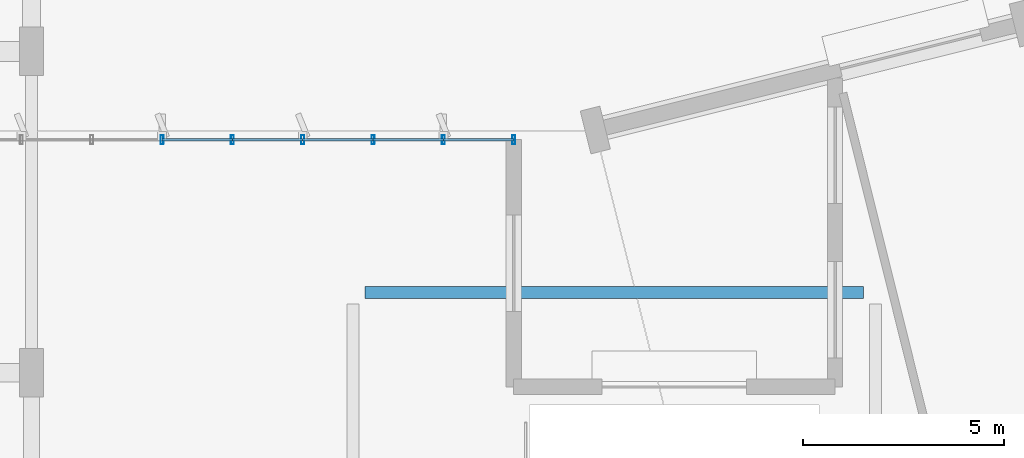
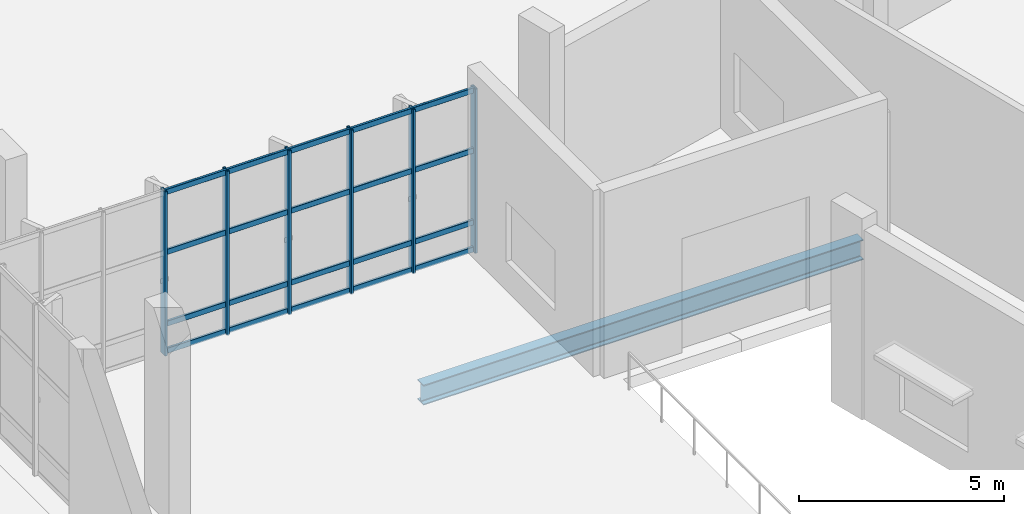
# One storey, part 94 of 163: 26 members, 1 beam, 1 element without a shape of its own.
"""IFC4 building model written with IfcOpenShell, lengths in metres."""

from ifc_helpers import new_model, si_unit, direction, frame, origin, origin_2d, place, context, subcontext, project, spatial, hollow_rectangle, i_section, extrude, material, layer, layer_set, material_profile, profile_set, type_object, element, aggregate, save


model = new_model("IFC4")

# Units and contexts
model_context = context("Model", 3, precision=1e-05, world=origin(), true_north=direction((0.0, 1.0)))
body_context = subcontext(model_context, "Body", "Model", "MODEL_VIEW")
ifc_project = project(units=[si_unit("LENGTHUNIT", "METRE"), si_unit("AREAUNIT", "SQUARE_METRE"), si_unit("VOLUMEUNIT", "CUBIC_METRE"), si_unit("PLANEANGLEUNIT", "RADIAN"), si_unit("MASSUNIT", "GRAM", prefix="KILO")], contexts=[model_context])

# Site, building, storey
site_placement = place(None, origin())
site = spatial("IfcSite", under=ifc_project, at=site_placement, CompositionType="ELEMENT")
building_placement = place(site_placement, origin())
building = spatial("IfcBuilding", under=site, at=building_placement, Name="Khorjan Park Terminus", CompositionType="ELEMENT")
storey_placement = place(building_placement, origin())
storey = spatial("IfcBuildingStorey", under=building, at=storey_placement, Name="L00", CompositionType="ELEMENT", Elevation=0.0)

# Beam
ifc_material_1 = material(Name="Steel S355", Category="steel")
ifc_material_profile_1 = material_profile(ifc_material_1, i_section(OverallWidth=0.3, OverallDepth=0.6, WebThickness=0.0155, FlangeThickness=0.03, FilletRadius=0.027, at=origin_2d()), Name="HEB 600")
ifc_profile_set_1 = profile_set([ifc_material_profile_1], Name="Steel S355")
beam_type = type_object("IfcBeamType", Name="BM-HEB600", PredefinedType="BEAM", material=ifc_profile_set_1)
beam_placement = place(storey_placement, frame((144.295, 62.0, -0.65), z_axis=(1.0, 0.0, 0.0), x_axis=(0.0, 1.0, 0.0)))
element("IfcBeam", 1, at=beam_placement, inside=storey, type_object=beam_type, Name="Primary floor girder SB-B60 (L00)", PredefinedType="BEAM", context=body_context, shape_type="SweptSolid", body=[
    extrude(i_section(OverallWidth=0.3, OverallDepth=0.6, WebThickness=0.0155, FlangeThickness=0.03, FilletRadius=0.027, at=origin_2d()), origin(), (0.0, 0.0, 1.0), 12.41),
])

# Curtain wall, members
ifc_material_2 = material(Name="Anodized Bronze Aluminium", Category="aluminium")
ifc_layer = layer(ifc_material_2, 0.22)
ifc_layer_set = layer_set([ifc_layer], Name="Anodized Bronze Aluminium")
curtain_wall_type = type_object("IfcCurtainWallType", Name="CW-OPS-B", PredefinedType="NOTDEFINED", material=ifc_layer_set)
curtain_wall_placement = place(storey_placement, origin())
curtain_wall = element("IfcCurtainWall", 2, at=curtain_wall_placement, inside=storey, type_object=curtain_wall_type, Name="Unitized curtain wall CW-B (CW-V5L-N-L00-1)", PredefinedType="NOTDEFINED")
ifc_material_profile_2 = material_profile(ifc_material_2, hollow_rectangle(XDim=0.075, YDim=0.225, WallThickness=0.005, InnerFilletRadius=0.005, OuterFilletRadius=0.01, at=origin_2d()), Name="ALM 75x225x5")
ifc_profile_set_2 = profile_set([ifc_material_profile_2], Name="Anodized Bronze Aluminium")
member_type_1 = type_object("IfcMemberType", Name="ML-ALM-225", PredefinedType="MULLION", material=ifc_profile_set_2)
member_1_placement = place(storey_placement, frame((148.0, 65.8, -0.035), z_axis=(0.0, 0.0, 1.0), x_axis=(-1.0, 0.0, 0.0)))
member_1 = element("IfcMember", 3, at=member_1_placement, type_object=member_type_1, Name="Curtain-wall mullion ML-22 (CW-V5L-N-L00-1-0)", PredefinedType="MULLION", context=body_context, shape_type="SweptSolid", body=[
    extrude(hollow_rectangle(XDim=0.075, YDim=0.225, WallThickness=0.005, InnerFilletRadius=0.005, OuterFilletRadius=0.01, at=origin_2d()), origin(), (0.0, 0.0, 1.0), 4.895),
])
member_2_placement = place(storey_placement, frame((146.25, 65.8, -0.035), z_axis=(0.0, 0.0, 1.0), x_axis=(-1.0, 0.0, 0.0)))
member_2 = element("IfcMember", 4, at=member_2_placement, type_object=member_type_1, Name="Curtain-wall mullion ML-22 (CW-V5L-N-L00-1-1)", PredefinedType="MULLION", context=body_context, shape_type="SweptSolid", body=[
    extrude(hollow_rectangle(XDim=0.075, YDim=0.225, WallThickness=0.005, InnerFilletRadius=0.005, OuterFilletRadius=0.01, at=origin_2d()), origin(), (0.0, 0.0, 1.0), 4.895),
])
member_3_placement = place(storey_placement, frame((144.5, 65.8, -0.035), z_axis=(0.0, 0.0, 1.0), x_axis=(-1.0, 0.0, 0.0)))
member_3 = element("IfcMember", 5, at=member_3_placement, type_object=member_type_1, Name="Curtain-wall mullion ML-22 (CW-V5L-N-L00-1-2)", PredefinedType="MULLION", context=body_context, shape_type="SweptSolid", body=[
    extrude(hollow_rectangle(XDim=0.075, YDim=0.225, WallThickness=0.005, InnerFilletRadius=0.005, OuterFilletRadius=0.01, at=origin_2d()), origin(), (0.0, 0.0, 1.0), 4.895),
])
member_4_placement = place(storey_placement, frame((142.75, 65.8, -0.035), z_axis=(0.0, 0.0, 1.0), x_axis=(-1.0, 0.0, 0.0)))
member_4 = element("IfcMember", 6, at=member_4_placement, type_object=member_type_1, Name="Curtain-wall mullion ML-22 (CW-V5L-N-L00-1-3)", PredefinedType="MULLION", context=body_context, shape_type="SweptSolid", body=[
    extrude(hollow_rectangle(XDim=0.075, YDim=0.225, WallThickness=0.005, InnerFilletRadius=0.005, OuterFilletRadius=0.01, at=origin_2d()), origin(), (0.0, 0.0, 1.0), 4.895),
])
member_5_placement = place(storey_placement, frame((141.0, 65.8, -0.035), z_axis=(0.0, 0.0, 1.0), x_axis=(-1.0, 0.0, 0.0)))
member_5 = element("IfcMember", 7, at=member_5_placement, type_object=member_type_1, Name="Curtain-wall mullion ML-22 (CW-V5L-N-L00-1-4)", PredefinedType="MULLION", context=body_context, shape_type="SweptSolid", body=[
    extrude(hollow_rectangle(XDim=0.075, YDim=0.225, WallThickness=0.005, InnerFilletRadius=0.005, OuterFilletRadius=0.01, at=origin_2d()), origin(), (0.0, 0.0, 1.0), 4.895),
])
member_6_placement = place(storey_placement, frame((139.25, 65.8, -0.035), z_axis=(0.0, 0.0, 1.0), x_axis=(-1.0, 0.0, 0.0)))
member_6 = element("IfcMember", 8, at=member_6_placement, type_object=member_type_1, Name="Curtain-wall mullion ML-22 (CW-V5L-N-L00-1-5)", PredefinedType="MULLION", context=body_context, shape_type="SweptSolid", body=[
    extrude(hollow_rectangle(XDim=0.075, YDim=0.225, WallThickness=0.005, InnerFilletRadius=0.005, OuterFilletRadius=0.01, at=origin_2d()), origin(), (0.0, 0.0, 1.0), 4.895),
])
ifc_material_profile_3 = material_profile(ifc_material_2, hollow_rectangle(XDim=0.07, YDim=0.16, WallThickness=0.004, InnerFilletRadius=0.004, OuterFilletRadius=0.008, at=origin_2d()), Name="ALT 70x160x4")
ifc_profile_set_3 = profile_set([ifc_material_profile_3], Name="Anodized Bronze Aluminium")
member_type_2 = type_object("IfcMemberType", Name="TR-ALT-160", PredefinedType="USERDEFINED", material=ifc_profile_set_3)
member_7_placement = place(storey_placement, frame((148.0, 65.8, 0.04), z_axis=(-1.0, 0.0, 0.0), x_axis=(0.0, -1.0, 0.0)))
member_7 = element("IfcMember", 9, at=member_7_placement, type_object=member_type_2, Name="Curtain-wall transom TR-16 (CW-V5L-N-L00-1-0-1)", ObjectType="TRANSOM", PredefinedType="USERDEFINED", context=body_context, shape_type="SweptSolid", body=[
    extrude(hollow_rectangle(XDim=0.07, YDim=0.16, WallThickness=0.004, InnerFilletRadius=0.004, OuterFilletRadius=0.008, at=origin_2d()), origin(), (0.0, 0.0, 1.0), 1.75),
])
member_8_placement = place(storey_placement, frame((148.0, 65.8, 0.85), z_axis=(-1.0, 0.0, 0.0), x_axis=(0.0, -1.0, 0.0)))
member_8 = element("IfcMember", 10, at=member_8_placement, type_object=member_type_2, Name="Curtain-wall transom TR-16 (CW-V5L-N-L00-1-0-2)", ObjectType="TRANSOM", PredefinedType="USERDEFINED", context=body_context, shape_type="SweptSolid", body=[
    extrude(hollow_rectangle(XDim=0.07, YDim=0.16, WallThickness=0.004, InnerFilletRadius=0.004, OuterFilletRadius=0.008, at=origin_2d()), origin(), (0.0, 0.0, 1.0), 1.75),
])
member_9_placement = place(storey_placement, frame((148.0, 65.8, 2.9915), z_axis=(-1.0, 0.0, 0.0), x_axis=(0.0, -1.0, 0.0)))
member_9 = element("IfcMember", 11, at=member_9_placement, type_object=member_type_2, Name="Curtain-wall transom TR-16 (CW-V5L-N-L00-1-0-3)", ObjectType="TRANSOM", PredefinedType="USERDEFINED", context=body_context, shape_type="SweptSolid", body=[
    extrude(hollow_rectangle(XDim=0.07, YDim=0.16, WallThickness=0.004, InnerFilletRadius=0.004, OuterFilletRadius=0.008, at=origin_2d()), origin(), (0.0, 0.0, 1.0), 1.75),
])
member_10_placement = place(storey_placement, frame((148.0, 65.8, 4.785), z_axis=(-1.0, 0.0, 0.0), x_axis=(0.0, -1.0, 0.0)))
member_10 = element("IfcMember", 12, at=member_10_placement, type_object=member_type_2, Name="Curtain-wall transom TR-16 (CW-V5L-N-L00-1-0-4)", ObjectType="TRANSOM", PredefinedType="USERDEFINED", context=body_context, shape_type="SweptSolid", body=[
    extrude(hollow_rectangle(XDim=0.07, YDim=0.16, WallThickness=0.004, InnerFilletRadius=0.004, OuterFilletRadius=0.008, at=origin_2d()), origin(), (0.0, 0.0, 1.0), 1.75),
])
member_11_placement = place(storey_placement, frame((146.25, 65.8, 0.04), z_axis=(-1.0, 0.0, 0.0), x_axis=(0.0, -1.0, 0.0)))
member_11 = element("IfcMember", 13, at=member_11_placement, type_object=member_type_2, Name="Curtain-wall transom TR-16 (CW-V5L-N-L00-1-1-1)", ObjectType="TRANSOM", PredefinedType="USERDEFINED", context=body_context, shape_type="SweptSolid", body=[
    extrude(hollow_rectangle(XDim=0.07, YDim=0.16, WallThickness=0.004, InnerFilletRadius=0.004, OuterFilletRadius=0.008, at=origin_2d()), origin(), (0.0, 0.0, 1.0), 1.75),
])
member_12_placement = place(storey_placement, frame((146.25, 65.8, 0.85), z_axis=(-1.0, 0.0, 0.0), x_axis=(0.0, -1.0, 0.0)))
member_12 = element("IfcMember", 14, at=member_12_placement, type_object=member_type_2, Name="Curtain-wall transom TR-16 (CW-V5L-N-L00-1-1-2)", ObjectType="TRANSOM", PredefinedType="USERDEFINED", context=body_context, shape_type="SweptSolid", body=[
    extrude(hollow_rectangle(XDim=0.07, YDim=0.16, WallThickness=0.004, InnerFilletRadius=0.004, OuterFilletRadius=0.008, at=origin_2d()), origin(), (0.0, 0.0, 1.0), 1.75),
])
member_13_placement = place(storey_placement, frame((146.25, 65.8, 2.9915), z_axis=(-1.0, 0.0, 0.0), x_axis=(0.0, -1.0, 0.0)))
member_13 = element("IfcMember", 15, at=member_13_placement, type_object=member_type_2, Name="Curtain-wall transom TR-16 (CW-V5L-N-L00-1-1-3)", ObjectType="TRANSOM", PredefinedType="USERDEFINED", context=body_context, shape_type="SweptSolid", body=[
    extrude(hollow_rectangle(XDim=0.07, YDim=0.16, WallThickness=0.004, InnerFilletRadius=0.004, OuterFilletRadius=0.008, at=origin_2d()), origin(), (0.0, 0.0, 1.0), 1.75),
])
member_14_placement = place(storey_placement, frame((146.25, 65.8, 4.785), z_axis=(-1.0, 0.0, 0.0), x_axis=(0.0, -1.0, 0.0)))
member_14 = element("IfcMember", 16, at=member_14_placement, type_object=member_type_2, Name="Curtain-wall transom TR-16 (CW-V5L-N-L00-1-1-4)", ObjectType="TRANSOM", PredefinedType="USERDEFINED", context=body_context, shape_type="SweptSolid", body=[
    extrude(hollow_rectangle(XDim=0.07, YDim=0.16, WallThickness=0.004, InnerFilletRadius=0.004, OuterFilletRadius=0.008, at=origin_2d()), origin(), (0.0, 0.0, 1.0), 1.75),
])
member_15_placement = place(storey_placement, frame((144.5, 65.8, 0.04), z_axis=(-1.0, 0.0, 0.0), x_axis=(0.0, -1.0, 0.0)))
member_15 = element("IfcMember", 17, at=member_15_placement, type_object=member_type_2, Name="Curtain-wall transom TR-16 (CW-V5L-N-L00-1-2-1)", ObjectType="TRANSOM", PredefinedType="USERDEFINED", context=body_context, shape_type="SweptSolid", body=[
    extrude(hollow_rectangle(XDim=0.07, YDim=0.16, WallThickness=0.004, InnerFilletRadius=0.004, OuterFilletRadius=0.008, at=origin_2d()), origin(), (0.0, 0.0, 1.0), 1.75),
])
member_16_placement = place(storey_placement, frame((144.5, 65.8, 0.85), z_axis=(-1.0, 0.0, 0.0), x_axis=(0.0, -1.0, 0.0)))
member_16 = element("IfcMember", 18, at=member_16_placement, type_object=member_type_2, Name="Curtain-wall transom TR-16 (CW-V5L-N-L00-1-2-2)", ObjectType="TRANSOM", PredefinedType="USERDEFINED", context=body_context, shape_type="SweptSolid", body=[
    extrude(hollow_rectangle(XDim=0.07, YDim=0.16, WallThickness=0.004, InnerFilletRadius=0.004, OuterFilletRadius=0.008, at=origin_2d()), origin(), (0.0, 0.0, 1.0), 1.75),
])
member_17_placement = place(storey_placement, frame((144.5, 65.8, 2.9915), z_axis=(-1.0, 0.0, 0.0), x_axis=(0.0, -1.0, 0.0)))
member_17 = element("IfcMember", 19, at=member_17_placement, type_object=member_type_2, Name="Curtain-wall transom TR-16 (CW-V5L-N-L00-1-2-3)", ObjectType="TRANSOM", PredefinedType="USERDEFINED", context=body_context, shape_type="SweptSolid", body=[
    extrude(hollow_rectangle(XDim=0.07, YDim=0.16, WallThickness=0.004, InnerFilletRadius=0.004, OuterFilletRadius=0.008, at=origin_2d()), origin(), (0.0, 0.0, 1.0), 1.75),
])
member_18_placement = place(storey_placement, frame((144.5, 65.8, 4.785), z_axis=(-1.0, 0.0, 0.0), x_axis=(0.0, -1.0, 0.0)))
member_18 = element("IfcMember", 20, at=member_18_placement, type_object=member_type_2, Name="Curtain-wall transom TR-16 (CW-V5L-N-L00-1-2-4)", ObjectType="TRANSOM", PredefinedType="USERDEFINED", context=body_context, shape_type="SweptSolid", body=[
    extrude(hollow_rectangle(XDim=0.07, YDim=0.16, WallThickness=0.004, InnerFilletRadius=0.004, OuterFilletRadius=0.008, at=origin_2d()), origin(), (0.0, 0.0, 1.0), 1.75),
])
member_19_placement = place(storey_placement, frame((142.75, 65.8, 0.04), z_axis=(-1.0, 0.0, 0.0), x_axis=(0.0, -1.0, 0.0)))
member_19 = element("IfcMember", 21, at=member_19_placement, type_object=member_type_2, Name="Curtain-wall transom TR-16 (CW-V5L-N-L00-1-3-1)", ObjectType="TRANSOM", PredefinedType="USERDEFINED", context=body_context, shape_type="SweptSolid", body=[
    extrude(hollow_rectangle(XDim=0.07, YDim=0.16, WallThickness=0.004, InnerFilletRadius=0.004, OuterFilletRadius=0.008, at=origin_2d()), origin(), (0.0, 0.0, 1.0), 1.75),
])
member_20_placement = place(storey_placement, frame((142.75, 65.8, 0.85), z_axis=(-1.0, 0.0, 0.0), x_axis=(0.0, -1.0, 0.0)))
member_20 = element("IfcMember", 22, at=member_20_placement, type_object=member_type_2, Name="Curtain-wall transom TR-16 (CW-V5L-N-L00-1-3-2)", ObjectType="TRANSOM", PredefinedType="USERDEFINED", context=body_context, shape_type="SweptSolid", body=[
    extrude(hollow_rectangle(XDim=0.07, YDim=0.16, WallThickness=0.004, InnerFilletRadius=0.004, OuterFilletRadius=0.008, at=origin_2d()), origin(), (0.0, 0.0, 1.0), 1.75),
])
member_21_placement = place(storey_placement, frame((142.75, 65.8, 2.9915), z_axis=(-1.0, 0.0, 0.0), x_axis=(0.0, -1.0, 0.0)))
member_21 = element("IfcMember", 23, at=member_21_placement, type_object=member_type_2, Name="Curtain-wall transom TR-16 (CW-V5L-N-L00-1-3-3)", ObjectType="TRANSOM", PredefinedType="USERDEFINED", context=body_context, shape_type="SweptSolid", body=[
    extrude(hollow_rectangle(XDim=0.07, YDim=0.16, WallThickness=0.004, InnerFilletRadius=0.004, OuterFilletRadius=0.008, at=origin_2d()), origin(), (0.0, 0.0, 1.0), 1.75),
])
member_22_placement = place(storey_placement, frame((142.75, 65.8, 4.785), z_axis=(-1.0, 0.0, 0.0), x_axis=(0.0, -1.0, 0.0)))
member_22 = element("IfcMember", 24, at=member_22_placement, type_object=member_type_2, Name="Curtain-wall transom TR-16 (CW-V5L-N-L00-1-3-4)", ObjectType="TRANSOM", PredefinedType="USERDEFINED", context=body_context, shape_type="SweptSolid", body=[
    extrude(hollow_rectangle(XDim=0.07, YDim=0.16, WallThickness=0.004, InnerFilletRadius=0.004, OuterFilletRadius=0.008, at=origin_2d()), origin(), (0.0, 0.0, 1.0), 1.75),
])
member_23_placement = place(storey_placement, frame((141.0, 65.8, 0.04), z_axis=(-1.0, 0.0, 0.0), x_axis=(0.0, -1.0, 0.0)))
member_23 = element("IfcMember", 25, at=member_23_placement, type_object=member_type_2, Name="Curtain-wall transom TR-16 (CW-V5L-N-L00-1-4-1)", ObjectType="TRANSOM", PredefinedType="USERDEFINED", context=body_context, shape_type="SweptSolid", body=[
    extrude(hollow_rectangle(XDim=0.07, YDim=0.16, WallThickness=0.004, InnerFilletRadius=0.004, OuterFilletRadius=0.008, at=origin_2d()), origin(), (0.0, 0.0, 1.0), 1.75),
])
member_24_placement = place(storey_placement, frame((141.0, 65.8, 0.85), z_axis=(-1.0, 0.0, 0.0), x_axis=(0.0, -1.0, 0.0)))
member_24 = element("IfcMember", 26, at=member_24_placement, type_object=member_type_2, Name="Curtain-wall transom TR-16 (CW-V5L-N-L00-1-4-2)", ObjectType="TRANSOM", PredefinedType="USERDEFINED", context=body_context, shape_type="SweptSolid", body=[
    extrude(hollow_rectangle(XDim=0.07, YDim=0.16, WallThickness=0.004, InnerFilletRadius=0.004, OuterFilletRadius=0.008, at=origin_2d()), origin(), (0.0, 0.0, 1.0), 1.75),
])
member_25_placement = place(storey_placement, frame((141.0, 65.8, 2.9915), z_axis=(-1.0, 0.0, 0.0), x_axis=(0.0, -1.0, 0.0)))
member_25 = element("IfcMember", 27, at=member_25_placement, type_object=member_type_2, Name="Curtain-wall transom TR-16 (CW-V5L-N-L00-1-4-3)", ObjectType="TRANSOM", PredefinedType="USERDEFINED", context=body_context, shape_type="SweptSolid", body=[
    extrude(hollow_rectangle(XDim=0.07, YDim=0.16, WallThickness=0.004, InnerFilletRadius=0.004, OuterFilletRadius=0.008, at=origin_2d()), origin(), (0.0, 0.0, 1.0), 1.75),
])
member_26_placement = place(storey_placement, frame((141.0, 65.8, 4.785), z_axis=(-1.0, 0.0, 0.0), x_axis=(0.0, -1.0, 0.0)))
member_26 = element("IfcMember", 28, at=member_26_placement, type_object=member_type_2, Name="Curtain-wall transom TR-16 (CW-V5L-N-L00-1-4-4)", ObjectType="TRANSOM", PredefinedType="USERDEFINED", context=body_context, shape_type="SweptSolid", body=[
    extrude(hollow_rectangle(XDim=0.07, YDim=0.16, WallThickness=0.004, InnerFilletRadius=0.004, OuterFilletRadius=0.008, at=origin_2d()), origin(), (0.0, 0.0, 1.0), 1.75),
])
aggregate(curtain_wall, [member_1, member_2, member_3, member_4, member_5, member_6, member_7, member_8, member_9, member_10, member_11, member_12, member_13, member_14, member_15, member_16, member_17, member_18, member_19, member_20, member_21, member_22, member_23, member_24, member_25, member_26])

save(model, "model.ifc")
